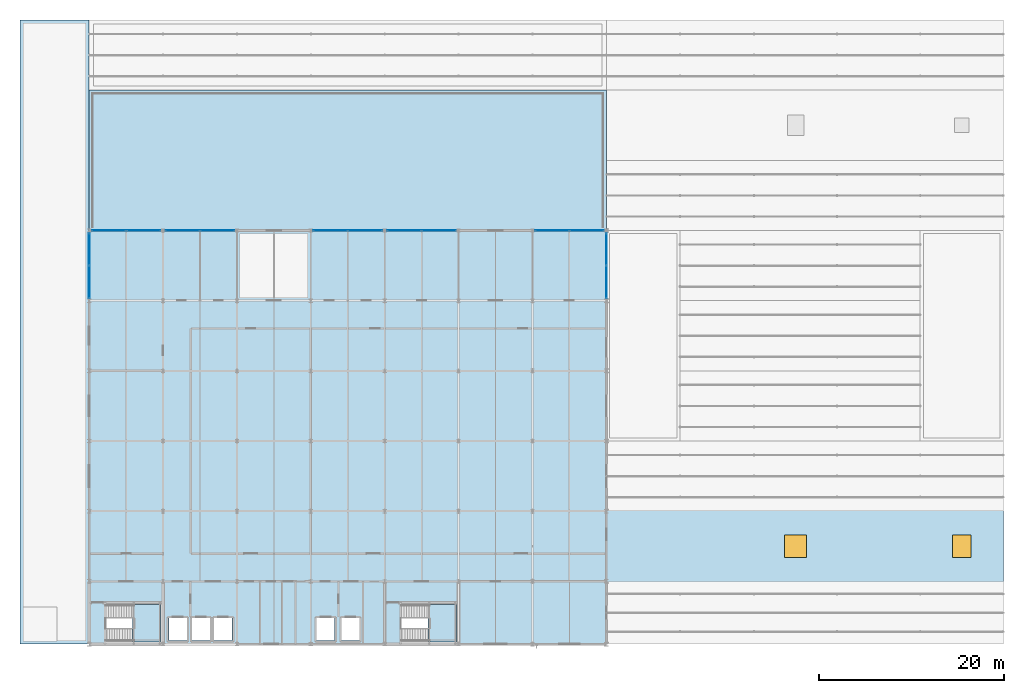
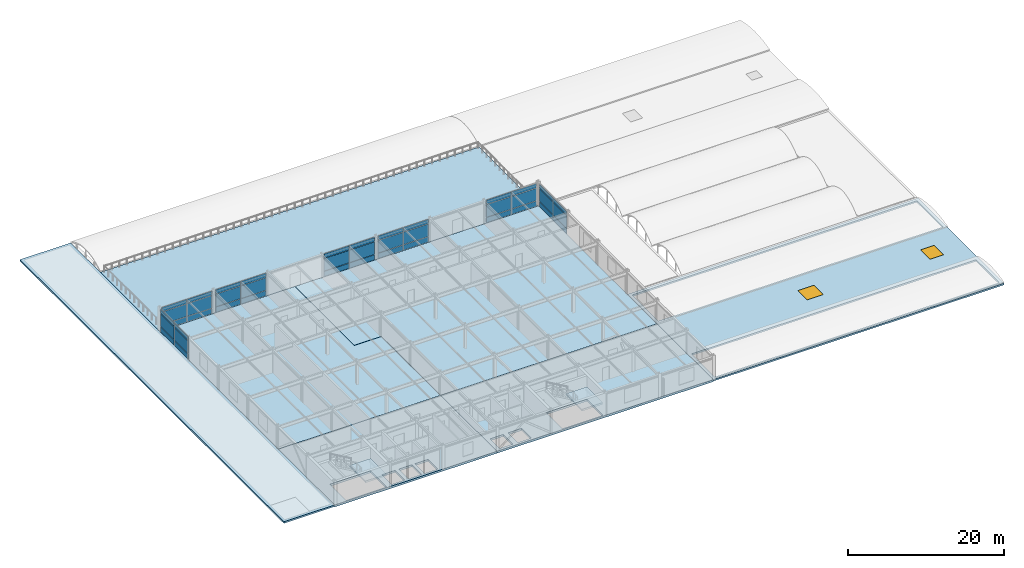
"""IFC4 building model written with IfcOpenShell, lengths in metres."""

from ifc_helpers import new_model, si_unit, direction, frame, origin, origin_2d, place, context, subcontext, project, spatial, polyline, rectangle, outline, extrude, material, layer, layer_set, type_object, element, fill, aggregate, save


model = new_model("IFC4")

# Units and contexts
model_context = context("Model", 3, precision=1e-05, world=origin(), true_north=direction((0.0, 1.0)))
body_context = subcontext(model_context, "Body", "Model", "MODEL_VIEW")
ifc_project = project(units=[si_unit("LENGTHUNIT", "METRE"), si_unit("AREAUNIT", "SQUARE_METRE"), si_unit("VOLUMEUNIT", "CUBIC_METRE"), si_unit("PLANEANGLEUNIT", "RADIAN"), si_unit("MASSUNIT", "GRAM", prefix="KILO")], contexts=[model_context])

# Site, building, storey
site_placement = place(None, origin())
site = spatial("IfcSite", under=ifc_project, at=site_placement, CompositionType="ELEMENT")
building_placement = place(site_placement, origin())
building = spatial("IfcBuilding", under=site, at=building_placement, Name="Shalkamar Park Central Library", CompositionType="ELEMENT")
storey_1_placement = place(building_placement, frame((0.0, 0.0, 20.39990234375)))
storey_1 = spatial("IfcBuildingStorey", under=building, at=storey_1_placement, Name="L05", CompositionType="ELEMENT", Elevation=20.39990234375)

# Slab
ifc_material_1 = material(Name="Concrete C35/45", Category="concrete")
ifc_layer_1 = layer(ifc_material_1, 0.25)
ifc_layer_set_1 = layer_set([ifc_layer_1], Name="Concrete C35/45")
slab_type_1 = type_object("IfcSlabType", Name="Flat Roof Slab 140", PredefinedType="ROOF", material=ifc_layer_set_1)
slab_1_placement = place(storey_1_placement, frame((0.0, 0.0, -0.25)))
element("IfcSlab", 1, at=slab_1_placement, inside=storey_1, type_object=slab_type_1, Name="Flat Roof Slab RF-L04-W", PredefinedType="ROOF", context=body_context, shape_type="SweptSolid", body=[
    extrude(outline(polyline([(157.5, 248.39990234375), (165.0, 248.39990234375), (165.0, 316.0), (157.5, 316.0), (157.5, 248.39990234375)])), origin(), (0.0, 0.0, 1.0), 0.25),
])

# Slab, openings
slab_2_placement = place(storey_1_placement, frame((0.0, 0.0, -0.25)))
slab_2 = element("IfcSlab", 2, at=slab_2_placement, inside=storey_1, type_object=slab_type_1, Name="Flat Roof Slab RF-L04-ES", PredefinedType="ROOF", context=body_context, shape_type="SweptSolid", body=[
    extrude(outline(polyline([(221.0, 248.39990234375), (264.0, 248.39990234375), (264.0, 270.39990234375), (221.0, 270.39990234375), (221.0, 248.39990234375)]), holes=[polyline([(221.449951171875, 248.85009765625), (263.550048828125, 248.85009765625), (263.550048828125, 254.75), (221.449951171875, 254.75), (221.449951171875, 248.85009765625)]), polyline([(221.449951171875, 263.25), (263.550048828125, 263.25), (263.550048828125, 269.949951171875), (221.449951171875, 269.949951171875), (221.449951171875, 263.25)])]), origin(), (0.0, 0.0, 1.0), 0.25),
])
opening_1_placement = place(slab_2_placement, frame((241.5, 259.0, -0.010009765625)))
opening_1 = element("IfcOpeningElement", 3, at=opening_1_placement, cuts=slab_2, Name="Opening SK-01", PredefinedType="OPENING", context=body_context, shape_type="SweptSolid", body=[
    extrude(rectangle(XDim=2.39990234375, YDim=2.39990234375, at=origin_2d()), origin(), (0.0, 0.0, 1.0), 0.27001953125),
])
opening_2_placement = place(slab_2_placement, frame((259.5, 259.0, -0.010009765625)))
opening_2 = element("IfcOpeningElement", 4, at=opening_2_placement, cuts=slab_2, Name="Opening SK-02", PredefinedType="OPENING", context=body_context, shape_type="SweptSolid", body=[
    extrude(rectangle(XDim=2.0, YDim=2.39990234375, at=origin_2d()), origin(), (0.0, 0.0, 1.0), 0.27001953125),
])

# Storey
storey_2_placement = place(building_placement, frame((0.0, 0.0, 15.60009765625)))
storey_2 = spatial("IfcBuildingStorey", under=building, at=storey_2_placement, Name="L04", CompositionType="ELEMENT", Elevation=15.60009765625)

# Window
ifc_material_2 = material(Name="Thermally broken aluminium and triple low-e glass", Category="glass")
window_type_1 = type_object("IfcWindowType", Name="Roof Skylight 2000x2400", PartitioningType="SINGLE_PANEL", PredefinedType="SKYLIGHT", material=ifc_material_2)
window_1_placement = place(opening_2_placement, frame((0.0, 0.0, 0.2099609375)))
window_1 = element("IfcWindow", 5, at=window_1_placement, inside=storey_2, type_object=window_type_1, Name="Roof Skylight SK-L04-08", OverallHeight=2.39990234375, OverallWidth=2.0, PartitioningType="SINGLE_PANEL", PredefinedType="SKYLIGHT", context=body_context, shape_type="SweptSolid", body=[
    extrude(rectangle(XDim=2.0, YDim=2.39990234375, at=origin_2d()), origin(), (0.0, 0.0, 1.0), 0.050048828125),
])

fill(opening_2, window_1)

window_type_2 = type_object("IfcWindowType", Name="Roof Skylight 2400x2400", PartitioningType="SINGLE_PANEL", PredefinedType="SKYLIGHT", material=ifc_material_2)
window_2_placement = place(opening_1_placement, frame((0.0, 0.0, 0.2099609375)))
window_2 = element("IfcWindow", 6, at=window_2_placement, inside=storey_2, type_object=window_type_2, Name="Roof Skylight SK-L04-07", OverallHeight=2.39990234375, OverallWidth=2.39990234375, PartitioningType="SINGLE_PANEL", PredefinedType="SKYLIGHT", context=body_context, shape_type="SweptSolid", body=[
    extrude(rectangle(XDim=2.39990234375, YDim=2.39990234375, at=origin_2d()), origin(), (0.0, 0.0, 1.0), 0.050048828125),
])

fill(opening_1, window_2)

# Curtain wall, plates
ifc_material_3 = material(Name="Thermally broken aluminium and triple low-e curtain wall", Category="aluminium")
ifc_layer_2 = layer(ifc_material_3, 0.280029296875)
ifc_layer_set_2 = layer_set([ifc_layer_2], Name="UnitisedCurtainWall_67")
curtain_wall_type_1 = type_object("IfcCurtainWallType", Name="Unitised Curtain Wall 67", PredefinedType="USERDEFINED", material=ifc_layer_set_2)
curtain_wall_1_placement = place(storey_1_placement, origin())
curtain_wall_1 = element("IfcCurtainWall", 7, at=curtain_wall_1_placement, inside=storey_1, type_object=curtain_wall_type_1, Name="Unitised Curtain Wall CW-L05-082", ObjectType="UNITISED CURTAIN WALL", PredefinedType="USERDEFINED")
ifc_material_4 = material(Name="Triple-glazed solar-control glass", Category="glass")
ifc_layer_3 = layer(ifc_material_4, 0.031982421875)
ifc_layer_set_3 = layer_set([ifc_layer_3], Name="SolarControlVisionPanel_32")
plate_type_1 = type_object("IfcPlateType", Name="Solar Control Vision Panel 32", PredefinedType="CURTAIN_PANEL", material=ifc_layer_set_3)
plate_1_placement = place(storey_1_placement, frame((167.13037109375, 293.199951171875, 0.070068359375), z_axis=(0.0, 0.0, 1.0), x_axis=(1.0, 0.0, 0.0)))
plate_1 = element("IfcPlate", 8, at=plate_1_placement, type_object=plate_type_1, Name="CW-67 panel 1.1", PredefinedType="CURTAIN_PANEL", context=body_context, shape_type="SweptSolid", body=[
    extrude(rectangle(XDim=3.65673828125, YDim=0.031982421875, at=origin_2d()), origin(), (0.0, 0.0, 1.0), 0.794921875),
])
plate_2_placement = place(storey_1_placement, frame((167.13037109375, 293.199951171875, 0.93505859375), z_axis=(0.0, 0.0, 1.0), x_axis=(1.0, 0.0, 0.0)))
plate_2 = element("IfcPlate", 9, at=plate_2_placement, type_object=plate_type_1, Name="CW-67 panel 1.2", PredefinedType="CURTAIN_PANEL", context=body_context, shape_type="SweptSolid", body=[
    extrude(rectangle(XDim=3.65673828125, YDim=0.031982421875, at=origin_2d()), origin(), (0.0, 0.0, 1.0), 1.93994140625),
])
plate_3_placement = place(storey_1_placement, frame((167.13037109375, 293.199951171875, 2.945068359375), z_axis=(0.0, 0.0, 1.0), x_axis=(1.0, 0.0, 0.0)))
plate_3 = element("IfcPlate", 10, at=plate_3_placement, type_object=plate_type_1, Name="CW-67 panel 1.3", PredefinedType="CURTAIN_PANEL", context=body_context, shape_type="SweptSolid", body=[
    extrude(rectangle(XDim=3.65673828125, YDim=0.031982421875, at=origin_2d()), origin(), (0.0, 0.0, 1.0), 0.64501953125),
])
plate_4_placement = place(storey_1_placement, frame((170.877197265625, 293.199951171875, 0.070068359375), z_axis=(0.0, 0.0, 1.0), x_axis=(1.0, 0.0, 0.0)))
plate_4 = element("IfcPlate", 11, at=plate_4_placement, type_object=plate_type_1, Name="CW-67 panel 2.1", PredefinedType="CURTAIN_PANEL", context=body_context, shape_type="SweptSolid", body=[
    extrude(rectangle(XDim=3.65673828125, YDim=0.031982421875, at=origin_2d()), origin(), (0.0, 0.0, 1.0), 0.794921875),
])
plate_5_placement = place(storey_1_placement, frame((170.877197265625, 293.199951171875, 0.93505859375), z_axis=(0.0, 0.0, 1.0), x_axis=(1.0, 0.0, 0.0)))
plate_5 = element("IfcPlate", 12, at=plate_5_placement, type_object=plate_type_1, Name="CW-67 panel 2.2", PredefinedType="CURTAIN_PANEL", context=body_context, shape_type="SweptSolid", body=[
    extrude(rectangle(XDim=3.65673828125, YDim=0.031982421875, at=origin_2d()), origin(), (0.0, 0.0, 1.0), 1.93994140625),
])
plate_6_placement = place(storey_1_placement, frame((170.877197265625, 293.199951171875, 2.945068359375), z_axis=(0.0, 0.0, 1.0), x_axis=(1.0, 0.0, 0.0)))
plate_6 = element("IfcPlate", 13, at=plate_6_placement, type_object=plate_type_1, Name="CW-67 panel 2.3", PredefinedType="CURTAIN_PANEL", context=body_context, shape_type="SweptSolid", body=[
    extrude(rectangle(XDim=3.65673828125, YDim=0.031982421875, at=origin_2d()), origin(), (0.0, 0.0, 1.0), 0.64501953125),
])
aggregate(curtain_wall_1, [plate_1, plate_2, plate_3, plate_4, plate_5, plate_6])

ifc_layer_4 = layer(ifc_material_3, 0.27001953125)
ifc_layer_set_4 = layer_set([ifc_layer_4], Name="UnitisedCurtainWall_70")
curtain_wall_type_2 = type_object("IfcCurtainWallType", Name="Unitised Curtain Wall 70", PredefinedType="USERDEFINED", material=ifc_layer_set_4)
curtain_wall_2_placement = place(storey_1_placement, origin())
curtain_wall_2 = element("IfcCurtainWall", 14, at=curtain_wall_2_placement, inside=storey_1, type_object=curtain_wall_type_2, Name="Unitised Curtain Wall CW-L05-085", ObjectType="UNITISED CURTAIN WALL", PredefinedType="USERDEFINED")
plate_7_placement = place(storey_1_placement, frame((199.122314453125, 293.199951171875, 0.06494140625), z_axis=(0.0, 0.0, 1.0), x_axis=(1.0, 0.0, 0.0)))
plate_7 = element("IfcPlate", 15, at=plate_7_placement, type_object=plate_type_1, Name="CW-70 panel 1.1", PredefinedType="CURTAIN_PANEL", context=body_context, shape_type="SweptSolid", body=[
    extrude(rectangle(XDim=3.675537109375, YDim=0.031982421875, at=origin_2d()), origin(), (0.0, 0.0, 1.0), 0.802490234375),
])
plate_8_placement = place(storey_1_placement, frame((199.122314453125, 293.199951171875, 0.9326171875), z_axis=(0.0, 0.0, 1.0), x_axis=(1.0, 0.0, 0.0)))
plate_8 = element("IfcPlate", 16, at=plate_8_placement, type_object=plate_type_1, Name="CW-70 panel 1.2", PredefinedType="CURTAIN_PANEL", context=body_context, shape_type="SweptSolid", body=[
    extrude(rectangle(XDim=3.675537109375, YDim=0.031982421875, at=origin_2d()), origin(), (0.0, 0.0, 1.0), 1.945068359375),
])
plate_9_placement = place(storey_1_placement, frame((199.122314453125, 293.199951171875, 2.9423828125), z_axis=(0.0, 0.0, 1.0), x_axis=(1.0, 0.0, 0.0)))
plate_9 = element("IfcPlate", 17, at=plate_9_placement, type_object=plate_type_1, Name="CW-70 panel 1.3", PredefinedType="CURTAIN_PANEL", context=body_context, shape_type="SweptSolid", body=[
    extrude(rectangle(XDim=3.675537109375, YDim=0.031982421875, at=origin_2d()), origin(), (0.0, 0.0, 1.0), 0.652587890625),
])
plate_10_placement = place(storey_1_placement, frame((202.877685546875, 293.199951171875, 0.06494140625), z_axis=(0.0, 0.0, 1.0), x_axis=(1.0, 0.0, 0.0)))
plate_10 = element("IfcPlate", 18, at=plate_10_placement, type_object=plate_type_1, Name="CW-70 panel 2.1", PredefinedType="CURTAIN_PANEL", context=body_context, shape_type="SweptSolid", body=[
    extrude(rectangle(XDim=3.675537109375, YDim=0.031982421875, at=origin_2d()), origin(), (0.0, 0.0, 1.0), 0.802490234375),
])
plate_11_placement = place(storey_1_placement, frame((202.877685546875, 293.199951171875, 0.9326171875), z_axis=(0.0, 0.0, 1.0), x_axis=(1.0, 0.0, 0.0)))
plate_11 = element("IfcPlate", 19, at=plate_11_placement, type_object=plate_type_1, Name="CW-70 panel 2.2", PredefinedType="CURTAIN_PANEL", context=body_context, shape_type="SweptSolid", body=[
    extrude(rectangle(XDim=3.675537109375, YDim=0.031982421875, at=origin_2d()), origin(), (0.0, 0.0, 1.0), 1.945068359375),
])
plate_12_placement = place(storey_1_placement, frame((202.877685546875, 293.199951171875, 2.9423828125), z_axis=(0.0, 0.0, 1.0), x_axis=(1.0, 0.0, 0.0)))
plate_12 = element("IfcPlate", 20, at=plate_12_placement, type_object=plate_type_1, Name="CW-70 panel 2.3", PredefinedType="CURTAIN_PANEL", context=body_context, shape_type="SweptSolid", body=[
    extrude(rectangle(XDim=3.675537109375, YDim=0.031982421875, at=origin_2d()), origin(), (0.0, 0.0, 1.0), 0.652587890625),
])
aggregate(curtain_wall_2, [plate_7, plate_8, plate_9, plate_10, plate_11, plate_12])

ifc_layer_5 = layer(ifc_material_3, 0.2548828125)
ifc_layer_set_5 = layer_set([ifc_layer_5], Name="UnitisedCurtainWall_69")
curtain_wall_type_3 = type_object("IfcCurtainWallType", Name="Unitised Curtain Wall 69", PredefinedType="USERDEFINED", material=ifc_layer_set_5)
curtain_wall_3_placement = place(storey_1_placement, origin())
curtain_wall_3 = element("IfcCurtainWall", 21, at=curtain_wall_3_placement, inside=storey_1, type_object=curtain_wall_type_3, Name="Unitised Curtain Wall CW-L05-084", ObjectType="UNITISED CURTAIN WALL", PredefinedType="USERDEFINED")
ifc_material_5 = material(Name="Insulated aluminium spandrel panel", Category="aluminium")
ifc_layer_6 = layer(ifc_material_5, 0.080078125)
ifc_layer_set_6 = layer_set([ifc_layer_6], Name="SpandrelShadowboxPanel_80")
plate_type_2 = type_object("IfcPlateType", Name="Spandrel Shadowbox Panel 80", PredefinedType="CURTAIN_PANEL", material=ifc_layer_set_6)
plate_13_placement = place(storey_1_placement, frame((191.122314453125, 293.199951171875, 0.06494140625), z_axis=(0.0, 0.0, 1.0), x_axis=(1.0, 0.0, 0.0)))
plate_13 = element("IfcPlate", 22, at=plate_13_placement, type_object=plate_type_2, Name="CW-69 panel 1.1", PredefinedType="CURTAIN_PANEL", context=body_context, shape_type="SweptSolid", body=[
    extrude(rectangle(XDim=3.675537109375, YDim=0.080078125, at=origin_2d()), origin(), (0.0, 0.0, 1.0), 0.802490234375),
])
plate_14_placement = place(storey_1_placement, frame((191.122314453125, 293.199951171875, 0.9326171875), z_axis=(0.0, 0.0, 1.0), x_axis=(1.0, 0.0, 0.0)))
plate_14 = element("IfcPlate", 23, at=plate_14_placement, type_object=plate_type_2, Name="CW-69 panel 1.2", PredefinedType="CURTAIN_PANEL", context=body_context, shape_type="SweptSolid", body=[
    extrude(rectangle(XDim=3.675537109375, YDim=0.080078125, at=origin_2d()), origin(), (0.0, 0.0, 1.0), 1.945068359375),
])
plate_15_placement = place(storey_1_placement, frame((191.122314453125, 293.199951171875, 2.9423828125), z_axis=(0.0, 0.0, 1.0), x_axis=(1.0, 0.0, 0.0)))
plate_15 = element("IfcPlate", 24, at=plate_15_placement, type_object=plate_type_2, Name="CW-69 panel 1.3", PredefinedType="CURTAIN_PANEL", context=body_context, shape_type="SweptSolid", body=[
    extrude(rectangle(XDim=3.675537109375, YDim=0.080078125, at=origin_2d()), origin(), (0.0, 0.0, 1.0), 0.652587890625),
])
plate_16_placement = place(storey_1_placement, frame((194.877685546875, 293.199951171875, 0.06494140625), z_axis=(0.0, 0.0, 1.0), x_axis=(1.0, 0.0, 0.0)))
plate_16 = element("IfcPlate", 25, at=plate_16_placement, type_object=plate_type_2, Name="CW-69 panel 2.1", PredefinedType="CURTAIN_PANEL", context=body_context, shape_type="SweptSolid", body=[
    extrude(rectangle(XDim=3.675537109375, YDim=0.080078125, at=origin_2d()), origin(), (0.0, 0.0, 1.0), 0.802490234375),
])
plate_17_placement = place(storey_1_placement, frame((194.877685546875, 293.199951171875, 0.9326171875), z_axis=(0.0, 0.0, 1.0), x_axis=(1.0, 0.0, 0.0)))
plate_17 = element("IfcPlate", 26, at=plate_17_placement, type_object=plate_type_2, Name="CW-69 panel 2.2", PredefinedType="CURTAIN_PANEL", context=body_context, shape_type="SweptSolid", body=[
    extrude(rectangle(XDim=3.675537109375, YDim=0.080078125, at=origin_2d()), origin(), (0.0, 0.0, 1.0), 1.945068359375),
])
plate_18_placement = place(storey_1_placement, frame((194.877685546875, 293.199951171875, 2.9423828125), z_axis=(0.0, 0.0, 1.0), x_axis=(1.0, 0.0, 0.0)))
plate_18 = element("IfcPlate", 27, at=plate_18_placement, type_object=plate_type_2, Name="CW-69 panel 2.3", PredefinedType="CURTAIN_PANEL", context=body_context, shape_type="SweptSolid", body=[
    extrude(rectangle(XDim=3.675537109375, YDim=0.080078125, at=origin_2d()), origin(), (0.0, 0.0, 1.0), 0.652587890625),
])
aggregate(curtain_wall_3, [plate_13, plate_14, plate_15, plate_16, plate_17, plate_18])

# Stair, slab
stair_type = type_object("IfcStairType", Name="Protected Dog Leg Stair 150x390", PredefinedType="TWO_STRAIGHT_RUN_STAIR", material=ifc_material_1)
stair_1_placement = place(storey_1_placement, origin())
stair_1 = element("IfcStair", 28, at=stair_1_placement, inside=storey_1, type_object=stair_type, Name="Protected Core Stair ST-T1-L05", PredefinedType="TWO_STRAIGHT_RUN_STAIR")
ifc_layer_7 = layer(ifc_material_1, 0.280029296875)
ifc_layer_set_7 = layer_set([ifc_layer_7], Name="Concrete C35/45")
slab_type_2 = type_object("IfcSlabType", Name="Stair Landing Slab 160", PredefinedType="LANDING", material=ifc_layer_set_7)
slab_3_placement = place(storey_1_placement, frame((0.0, 0.0, 1.670166015625)))
slab_3 = element("IfcSlab", 29, at=slab_3_placement, type_object=slab_type_2, Name="ST-T1-L05 landing 1", PredefinedType="LANDING", context=body_context, shape_type="SweptSolid", body=[
    extrude(outline(polyline([(169.699951171875, 248.6201171875), (172.780029296875, 248.6201171875), (172.780029296875, 252.679931640625), (169.699951171875, 252.679931640625), (169.699951171875, 248.6201171875)])), origin(), (0.0, 0.0, 1.0), 0.280029296875),
])
aggregate(stair_1, [slab_3])

stair_2_placement = place(storey_1_placement, origin())
stair_2 = element("IfcStair", 30, at=stair_2_placement, inside=storey_1, type_object=stair_type, Name="Protected Core Stair ST-T2-L05", PredefinedType="TWO_STRAIGHT_RUN_STAIR")
slab_4_placement = place(storey_1_placement, frame((0.0, 0.0, 1.670166015625)))
slab_4 = element("IfcSlab", 31, at=slab_4_placement, type_object=slab_type_2, Name="ST-T2-L05 landing 1", PredefinedType="LANDING", context=body_context, shape_type="SweptSolid", body=[
    extrude(outline(polyline([(201.699951171875, 248.6201171875), (204.780029296875, 248.6201171875), (204.780029296875, 252.679931640625), (201.699951171875, 252.679931640625), (201.699951171875, 248.6201171875)])), origin(), (0.0, 0.0, 1.0), 0.280029296875),
])
aggregate(stair_2, [slab_4])

# Slabs
ifc_layer_8 = layer(ifc_material_1, 0.320068359375)
ifc_layer_set_8 = layer_set([ifc_layer_8], Name="Concrete C35/45")
slab_type_3 = type_object("IfcSlabType", Name="Suspended Floor Slab 320", PredefinedType="FLOOR", material=ifc_layer_set_8)
slab_5_placement = place(storey_1_placement, frame((0.0, 0.0, -0.31982421875)))
element("IfcSlab", 32, at=slab_5_placement, inside=storey_1, type_object=slab_type_3, Name="Level L05 Composite Floor Slab NW", PredefinedType="FLOOR", context=body_context, shape_type="SweptSolid", body=[
    extrude(outline(polyline([(165.0, 262.800048828125), (188.989990234375, 262.800048828125), (188.989990234375, 277.989990234375), (184.989990234375, 277.989990234375), (184.989990234375, 293.199951171875), (165.0, 293.199951171875), (165.0, 262.800048828125)])), origin(), (0.0, 0.0, 1.0), 0.31982421875),
])
slab_6_placement = place(storey_1_placement, frame((0.0, 0.0, -0.31982421875)))
element("IfcSlab", 33, at=slab_6_placement, inside=storey_1, type_object=slab_type_3, Name="Level L05 Composite Floor Slab NE", PredefinedType="FLOOR", context=body_context, shape_type="SweptSolid", body=[
    extrude(outline(polyline([(189.010009765625, 262.800048828125), (221.0, 262.800048828125), (221.0, 293.199951171875), (185.010009765625, 293.199951171875), (185.010009765625, 278.010009765625), (189.010009765625, 278.010009765625), (189.010009765625, 262.800048828125)])), origin(), (0.0, 0.0, 1.0), 0.31982421875),
])
slab_7_placement = place(storey_1_placement, frame((0.0, 0.0, -0.31982421875)))
element("IfcSlab", 34, at=slab_7_placement, inside=storey_1, type_object=slab_type_3, Name="Level L05 Composite Floor Slab SW", PredefinedType="FLOOR", context=body_context, shape_type="SweptSolid", body=[
    extrude(outline(polyline([(165.0, 248.39990234375), (165.0, 262.800048828125), (189.0, 262.800048828125), (189.0, 248.39990234375), (165.0, 248.39990234375)]), holes=[polyline([(173.6201171875, 248.77001953125), (175.580078125, 248.77001953125), (175.580078125, 251.22998046875), (173.6201171875, 251.22998046875), (173.6201171875, 248.77001953125)]), polyline([(176.1201171875, 251.22998046875), (176.1201171875, 248.77001953125), (178.080078125, 248.77001953125), (178.080078125, 251.22998046875), (176.1201171875, 251.22998046875)]), polyline([(178.52001953125, 251.22998046875), (178.52001953125, 248.77001953125), (180.47998046875, 248.77001953125), (180.47998046875, 251.22998046875), (178.52001953125, 251.22998046875)]), polyline([(166.800048828125, 252.699951171875), (166.800048828125, 248.60009765625), (172.800048828125, 248.60009765625), (172.800048828125, 252.699951171875), (166.800048828125, 252.699951171875)])]), origin(), (0.0, 0.0, 1.0), 0.31982421875),
])
slab_8_placement = place(storey_1_placement, frame((0.0, 0.0, -0.31982421875)))
element("IfcSlab", 35, at=slab_8_placement, inside=storey_1, type_object=slab_type_3, Name="Level L05 Composite Floor Slab SE", PredefinedType="FLOOR", context=body_context, shape_type="SweptSolid", body=[
    extrude(outline(polyline([(189.0, 248.39990234375), (189.0, 262.800048828125), (221.0, 262.800048828125), (221.0, 248.39990234375), (189.0, 248.39990234375)]), holes=[polyline([(189.6201171875, 251.22998046875), (189.6201171875, 248.77001953125), (191.580078125, 248.77001953125), (191.580078125, 251.22998046875), (189.6201171875, 251.22998046875)]), polyline([(192.320068359375, 251.22998046875), (192.320068359375, 248.77001953125), (194.280029296875, 248.77001953125), (194.280029296875, 251.22998046875), (192.320068359375, 251.22998046875)]), polyline([(198.800048828125, 252.699951171875), (198.800048828125, 248.60009765625), (204.800048828125, 248.60009765625), (204.800048828125, 252.699951171875), (198.800048828125, 252.699951171875)])]), origin(), (0.0, 0.0, 1.0), 0.31982421875),
])
slab_9_placement = place(storey_1_placement, frame((0.0, 0.0, -0.31982421875)))
element("IfcSlab", 36, at=slab_9_placement, inside=storey_1, type_object=slab_type_3, Name="Outdoor Reading Terrace Slab TER-L05-POD", PredefinedType="FLOOR", context=body_context, shape_type="SweptSolid", body=[
    extrude(outline(polyline([(165.0, 293.199951171875), (221.0, 293.199951171875), (221.0, 308.39990234375), (165.0, 308.39990234375), (165.0, 293.199951171875)])), origin(), (0.0, 0.0, 1.0), 0.31982421875),
])

# Curtain wall, plates
curtain_wall_4_placement = place(storey_1_placement, origin())
curtain_wall_4 = element("IfcCurtainWall", 37, at=curtain_wall_4_placement, inside=storey_1, type_object=curtain_wall_type_1, Name="Unitised Curtain Wall CW-L05-086", ObjectType="UNITISED CURTAIN WALL", PredefinedType="USERDEFINED")
ifc_material_6 = material(Name="Triple-glazed laminated glass", Category="glass")
ifc_layer_9 = layer(ifc_material_6, 0.06005859375)
ifc_layer_set_9 = layer_set([ifc_layer_9], Name="TripleGlazedPodiumPanel_60")
plate_type_3 = type_object("IfcPlateType", Name="Triple Glazed Podium Panel 60", PredefinedType="CURTAIN_PANEL", material=ifc_layer_set_9)
plate_19_placement = place(storey_1_placement, frame((215.12841796875, 293.199951171875, 0.070068359375), z_axis=(0.0, 0.0, 1.0), x_axis=(1.0, 0.0, 0.0)))
plate_19 = element("IfcPlate", 38, at=plate_19_placement, type_object=plate_type_3, Name="CW-67 panel 1.1", PredefinedType="CURTAIN_PANEL", context=body_context, shape_type="SweptSolid", body=[
    extrude(rectangle(XDim=3.653076171875, YDim=0.06005859375, at=origin_2d()), origin(), (0.0, 0.0, 1.0), 0.794921875),
])
plate_20_placement = place(storey_1_placement, frame((215.12841796875, 293.199951171875, 0.93505859375), z_axis=(0.0, 0.0, 1.0), x_axis=(1.0, 0.0, 0.0)))
plate_20 = element("IfcPlate", 39, at=plate_20_placement, type_object=plate_type_3, Name="CW-67 panel 1.2", PredefinedType="CURTAIN_PANEL", context=body_context, shape_type="SweptSolid", body=[
    extrude(rectangle(XDim=3.653076171875, YDim=0.06005859375, at=origin_2d()), origin(), (0.0, 0.0, 1.0), 1.93994140625),
])
plate_21_placement = place(storey_1_placement, frame((215.12841796875, 293.199951171875, 2.945068359375), z_axis=(0.0, 0.0, 1.0), x_axis=(1.0, 0.0, 0.0)))
plate_21 = element("IfcPlate", 40, at=plate_21_placement, type_object=plate_type_3, Name="CW-67 panel 1.3", PredefinedType="CURTAIN_PANEL", context=body_context, shape_type="SweptSolid", body=[
    extrude(rectangle(XDim=3.653076171875, YDim=0.06005859375, at=origin_2d()), origin(), (0.0, 0.0, 1.0), 0.64501953125),
])
plate_22_placement = place(storey_1_placement, frame((218.87158203125, 293.199951171875, 0.070068359375), z_axis=(0.0, 0.0, 1.0), x_axis=(1.0, 0.0, 0.0)))
plate_22 = element("IfcPlate", 41, at=plate_22_placement, type_object=plate_type_3, Name="CW-67 panel 2.1", PredefinedType="CURTAIN_PANEL", context=body_context, shape_type="SweptSolid", body=[
    extrude(rectangle(XDim=3.653076171875, YDim=0.06005859375, at=origin_2d()), origin(), (0.0, 0.0, 1.0), 0.794921875),
])
plate_23_placement = place(storey_1_placement, frame((218.87158203125, 293.199951171875, 0.93505859375), z_axis=(0.0, 0.0, 1.0), x_axis=(1.0, 0.0, 0.0)))
plate_23 = element("IfcPlate", 42, at=plate_23_placement, type_object=plate_type_3, Name="CW-67 panel 2.2", PredefinedType="CURTAIN_PANEL", context=body_context, shape_type="SweptSolid", body=[
    extrude(rectangle(XDim=3.653076171875, YDim=0.06005859375, at=origin_2d()), origin(), (0.0, 0.0, 1.0), 1.93994140625),
])
plate_24_placement = place(storey_1_placement, frame((218.87158203125, 293.199951171875, 2.945068359375), z_axis=(0.0, 0.0, 1.0), x_axis=(1.0, 0.0, 0.0)))
plate_24 = element("IfcPlate", 43, at=plate_24_placement, type_object=plate_type_3, Name="CW-67 panel 2.3", PredefinedType="CURTAIN_PANEL", context=body_context, shape_type="SweptSolid", body=[
    extrude(rectangle(XDim=3.653076171875, YDim=0.06005859375, at=origin_2d()), origin(), (0.0, 0.0, 1.0), 0.64501953125),
])
aggregate(curtain_wall_4, [plate_19, plate_20, plate_21, plate_22, plate_23, plate_24])

ifc_layer_10 = layer(ifc_material_3, 0.260009765625)
ifc_layer_set_10 = layer_set([ifc_layer_10], Name="UnitisedCurtainWall_71")
curtain_wall_type_4 = type_object("IfcCurtainWallType", Name="Unitised Curtain Wall 71", PredefinedType="USERDEFINED", material=ifc_layer_set_10)
curtain_wall_5_placement = place(storey_1_placement, origin())
curtain_wall_5 = element("IfcCurtainWall", 44, at=curtain_wall_5_placement, inside=storey_1, type_object=curtain_wall_type_4, Name="Unitised Curtain Wall CW-L05-087", ObjectType="UNITISED CURTAIN WALL", PredefinedType="USERDEFINED")
plate_25_placement = place(storey_1_placement, frame((165.0, 287.624755859375, 0.06005859375), z_axis=(0.0, 0.0, 1.0), x_axis=(0.0, 1.0, 0.0)))
plate_25 = element("IfcPlate", 45, at=plate_25_placement, type_object=plate_type_3, Name="CW-71 panel 1.1", PredefinedType="CURTAIN_PANEL", context=body_context, shape_type="SweptSolid", body=[
    extrude(rectangle(XDim=3.4755859375, YDim=0.06005859375, at=origin_2d()), origin(), (0.0, 0.0, 1.0), 0.81005859375),
])
plate_26_placement = place(storey_1_placement, frame((165.0, 287.624755859375, 0.93017578125), z_axis=(0.0, 0.0, 1.0), x_axis=(0.0, 1.0, 0.0)))
plate_26 = element("IfcPlate", 46, at=plate_26_placement, type_object=plate_type_3, Name="CW-71 panel 1.2", PredefinedType="CURTAIN_PANEL", context=body_context, shape_type="SweptSolid", body=[
    extrude(rectangle(XDim=3.4755859375, YDim=0.06005859375, at=origin_2d()), origin(), (0.0, 0.0, 1.0), 1.949951171875),
])
plate_27_placement = place(storey_1_placement, frame((165.0, 287.624755859375, 2.93994140625), z_axis=(0.0, 0.0, 1.0), x_axis=(0.0, 1.0, 0.0)))
plate_27 = element("IfcPlate", 47, at=plate_27_placement, type_object=plate_type_3, Name="CW-71 panel 1.3", PredefinedType="CURTAIN_PANEL", context=body_context, shape_type="SweptSolid", body=[
    extrude(rectangle(XDim=3.4755859375, YDim=0.06005859375, at=origin_2d()), origin(), (0.0, 0.0, 1.0), 0.659912109375),
])
plate_28_placement = place(storey_1_placement, frame((165.0, 291.17529296875, 0.06005859375), z_axis=(0.0, 0.0, 1.0), x_axis=(0.0, 1.0, 0.0)))
plate_28 = element("IfcPlate", 48, at=plate_28_placement, type_object=plate_type_3, Name="CW-71 panel 2.1", PredefinedType="CURTAIN_PANEL", context=body_context, shape_type="SweptSolid", body=[
    extrude(rectangle(XDim=3.4755859375, YDim=0.06005859375, at=origin_2d()), origin(), (0.0, 0.0, 1.0), 0.81005859375),
])
plate_29_placement = place(storey_1_placement, frame((165.0, 291.17529296875, 0.93017578125), z_axis=(0.0, 0.0, 1.0), x_axis=(0.0, 1.0, 0.0)))
plate_29 = element("IfcPlate", 49, at=plate_29_placement, type_object=plate_type_3, Name="CW-71 panel 2.2", PredefinedType="CURTAIN_PANEL", context=body_context, shape_type="SweptSolid", body=[
    extrude(rectangle(XDim=3.4755859375, YDim=0.06005859375, at=origin_2d()), origin(), (0.0, 0.0, 1.0), 1.949951171875),
])
plate_30_placement = place(storey_1_placement, frame((165.0, 291.17529296875, 2.93994140625), z_axis=(0.0, 0.0, 1.0), x_axis=(0.0, 1.0, 0.0)))
plate_30 = element("IfcPlate", 50, at=plate_30_placement, type_object=plate_type_3, Name="CW-71 panel 2.3", PredefinedType="CURTAIN_PANEL", context=body_context, shape_type="SweptSolid", body=[
    extrude(rectangle(XDim=3.4755859375, YDim=0.06005859375, at=origin_2d()), origin(), (0.0, 0.0, 1.0), 0.659912109375),
])
aggregate(curtain_wall_5, [plate_25, plate_26, plate_27, plate_28, plate_29, plate_30])

curtain_wall_6_placement = place(storey_1_placement, origin())
curtain_wall_6 = element("IfcCurtainWall", 51, at=curtain_wall_6_placement, inside=storey_1, type_object=curtain_wall_type_4, Name="Unitised Curtain Wall CW-L05-088", ObjectType="UNITISED CURTAIN WALL", PredefinedType="USERDEFINED")
plate_31_placement = place(storey_1_placement, frame((221.0, 287.624755859375, 0.06005859375), z_axis=(0.0, 0.0, 1.0), x_axis=(0.0, 1.0, 0.0)))
plate_31 = element("IfcPlate", 52, at=plate_31_placement, type_object=plate_type_3, Name="CW-71 panel 1.1", PredefinedType="CURTAIN_PANEL", context=body_context, shape_type="SweptSolid", body=[
    extrude(rectangle(XDim=3.4755859375, YDim=0.06005859375, at=origin_2d()), origin(), (0.0, 0.0, 1.0), 0.81005859375),
])
plate_32_placement = place(storey_1_placement, frame((221.0, 287.624755859375, 0.93017578125), z_axis=(0.0, 0.0, 1.0), x_axis=(0.0, 1.0, 0.0)))
plate_32 = element("IfcPlate", 53, at=plate_32_placement, type_object=plate_type_3, Name="CW-71 panel 1.2", PredefinedType="CURTAIN_PANEL", context=body_context, shape_type="SweptSolid", body=[
    extrude(rectangle(XDim=3.4755859375, YDim=0.06005859375, at=origin_2d()), origin(), (0.0, 0.0, 1.0), 1.949951171875),
])
plate_33_placement = place(storey_1_placement, frame((221.0, 287.624755859375, 2.93994140625), z_axis=(0.0, 0.0, 1.0), x_axis=(0.0, 1.0, 0.0)))
plate_33 = element("IfcPlate", 54, at=plate_33_placement, type_object=plate_type_3, Name="CW-71 panel 1.3", PredefinedType="CURTAIN_PANEL", context=body_context, shape_type="SweptSolid", body=[
    extrude(rectangle(XDim=3.4755859375, YDim=0.06005859375, at=origin_2d()), origin(), (0.0, 0.0, 1.0), 0.659912109375),
])
plate_34_placement = place(storey_1_placement, frame((221.0, 291.17529296875, 0.06005859375), z_axis=(0.0, 0.0, 1.0), x_axis=(0.0, 1.0, 0.0)))
plate_34 = element("IfcPlate", 55, at=plate_34_placement, type_object=plate_type_3, Name="CW-71 panel 2.1", PredefinedType="CURTAIN_PANEL", context=body_context, shape_type="SweptSolid", body=[
    extrude(rectangle(XDim=3.4755859375, YDim=0.06005859375, at=origin_2d()), origin(), (0.0, 0.0, 1.0), 0.81005859375),
])
plate_35_placement = place(storey_1_placement, frame((221.0, 291.17529296875, 0.93017578125), z_axis=(0.0, 0.0, 1.0), x_axis=(0.0, 1.0, 0.0)))
plate_35 = element("IfcPlate", 56, at=plate_35_placement, type_object=plate_type_3, Name="CW-71 panel 2.2", PredefinedType="CURTAIN_PANEL", context=body_context, shape_type="SweptSolid", body=[
    extrude(rectangle(XDim=3.4755859375, YDim=0.06005859375, at=origin_2d()), origin(), (0.0, 0.0, 1.0), 1.949951171875),
])
plate_36_placement = place(storey_1_placement, frame((221.0, 291.17529296875, 2.93994140625), z_axis=(0.0, 0.0, 1.0), x_axis=(0.0, 1.0, 0.0)))
plate_36 = element("IfcPlate", 57, at=plate_36_placement, type_object=plate_type_3, Name="CW-71 panel 2.3", PredefinedType="CURTAIN_PANEL", context=body_context, shape_type="SweptSolid", body=[
    extrude(rectangle(XDim=3.4755859375, YDim=0.06005859375, at=origin_2d()), origin(), (0.0, 0.0, 1.0), 0.659912109375),
])
aggregate(curtain_wall_6, [plate_31, plate_32, plate_33, plate_34, plate_35, plate_36])

ifc_layer_11 = layer(ifc_material_3, 0.25)
ifc_layer_set_11 = layer_set([ifc_layer_11], Name="UnitisedCurtainWall_68")
curtain_wall_type_5 = type_object("IfcCurtainWallType", Name="Unitised Curtain Wall 68", PredefinedType="USERDEFINED", material=ifc_layer_set_11)
curtain_wall_7_placement = place(storey_1_placement, origin())
curtain_wall_7 = element("IfcCurtainWall", 58, at=curtain_wall_7_placement, inside=storey_1, type_object=curtain_wall_type_5, Name="Unitised Curtain Wall CW-L05-083", ObjectType="UNITISED CURTAIN WALL", PredefinedType="USERDEFINED")
ifc_material_7 = material(Name="Triple-glazed low-e safety glass", Category="glass")
ifc_layer_12 = layer(ifc_material_7, 0.0439453125)
ifc_layer_set_12 = layer_set([ifc_layer_12], Name="TripleGlazedVisionPanel_44")
plate_type_4 = type_object("IfcPlateType", Name="Triple Glazed Vision Panel 44", PredefinedType="CURTAIN_PANEL", material=ifc_layer_set_12)
plate_37_placement = place(storey_1_placement, frame((175.12109375, 293.199951171875, 0.06005859375), z_axis=(0.0, 0.0, 1.0), x_axis=(1.0, 0.0, 0.0)))
plate_37 = element("IfcPlate", 59, at=plate_37_placement, type_object=plate_type_4, Name="CW-68 panel 1.1", PredefinedType="CURTAIN_PANEL", context=body_context, shape_type="SweptSolid", body=[
    extrude(rectangle(XDim=3.68310546875, YDim=0.0439453125, at=origin_2d()), origin(), (0.0, 0.0, 1.0), 0.81005859375),
])
plate_38_placement = place(storey_1_placement, frame((175.12109375, 293.199951171875, 0.93017578125), z_axis=(0.0, 0.0, 1.0), x_axis=(1.0, 0.0, 0.0)))
plate_38 = element("IfcPlate", 60, at=plate_38_placement, type_object=plate_type_4, Name="CW-68 panel 1.2", PredefinedType="CURTAIN_PANEL", context=body_context, shape_type="SweptSolid", body=[
    extrude(rectangle(XDim=3.68310546875, YDim=0.0439453125, at=origin_2d()), origin(), (0.0, 0.0, 1.0), 1.949951171875),
])
plate_39_placement = place(storey_1_placement, frame((175.12109375, 293.199951171875, 2.93994140625), z_axis=(0.0, 0.0, 1.0), x_axis=(1.0, 0.0, 0.0)))
plate_39 = element("IfcPlate", 61, at=plate_39_placement, type_object=plate_type_4, Name="CW-68 panel 1.3", PredefinedType="CURTAIN_PANEL", context=body_context, shape_type="SweptSolid", body=[
    extrude(rectangle(XDim=3.68310546875, YDim=0.0439453125, at=origin_2d()), origin(), (0.0, 0.0, 1.0), 0.659912109375),
])
plate_40_placement = place(storey_1_placement, frame((178.87890625, 293.199951171875, 0.06005859375), z_axis=(0.0, 0.0, 1.0), x_axis=(1.0, 0.0, 0.0)))
plate_40 = element("IfcPlate", 62, at=plate_40_placement, type_object=plate_type_4, Name="CW-68 panel 2.1", PredefinedType="CURTAIN_PANEL", context=body_context, shape_type="SweptSolid", body=[
    extrude(rectangle(XDim=3.68310546875, YDim=0.0439453125, at=origin_2d()), origin(), (0.0, 0.0, 1.0), 0.81005859375),
])
plate_41_placement = place(storey_1_placement, frame((178.87890625, 293.199951171875, 0.93017578125), z_axis=(0.0, 0.0, 1.0), x_axis=(1.0, 0.0, 0.0)))
plate_41 = element("IfcPlate", 63, at=plate_41_placement, type_object=plate_type_4, Name="CW-68 panel 2.2", PredefinedType="CURTAIN_PANEL", context=body_context, shape_type="SweptSolid", body=[
    extrude(rectangle(XDim=3.68310546875, YDim=0.0439453125, at=origin_2d()), origin(), (0.0, 0.0, 1.0), 1.949951171875),
])
plate_42_placement = place(storey_1_placement, frame((178.87890625, 293.199951171875, 2.93994140625), z_axis=(0.0, 0.0, 1.0), x_axis=(1.0, 0.0, 0.0)))
plate_42 = element("IfcPlate", 64, at=plate_42_placement, type_object=plate_type_4, Name="CW-68 panel 2.3", PredefinedType="CURTAIN_PANEL", context=body_context, shape_type="SweptSolid", body=[
    extrude(rectangle(XDim=3.68310546875, YDim=0.0439453125, at=origin_2d()), origin(), (0.0, 0.0, 1.0), 0.659912109375),
])
aggregate(curtain_wall_7, [plate_37, plate_38, plate_39, plate_40, plate_41, plate_42])

save(model, "model.ifc")
